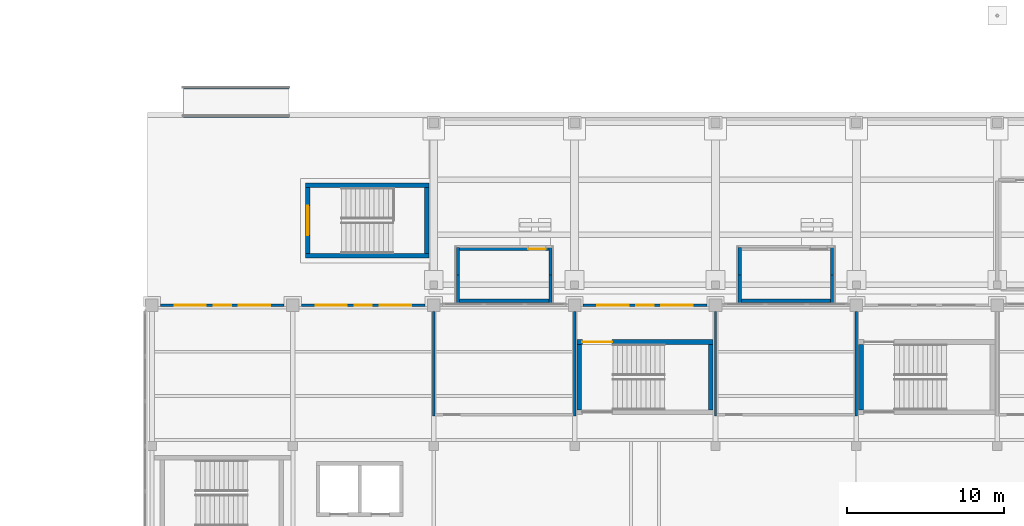
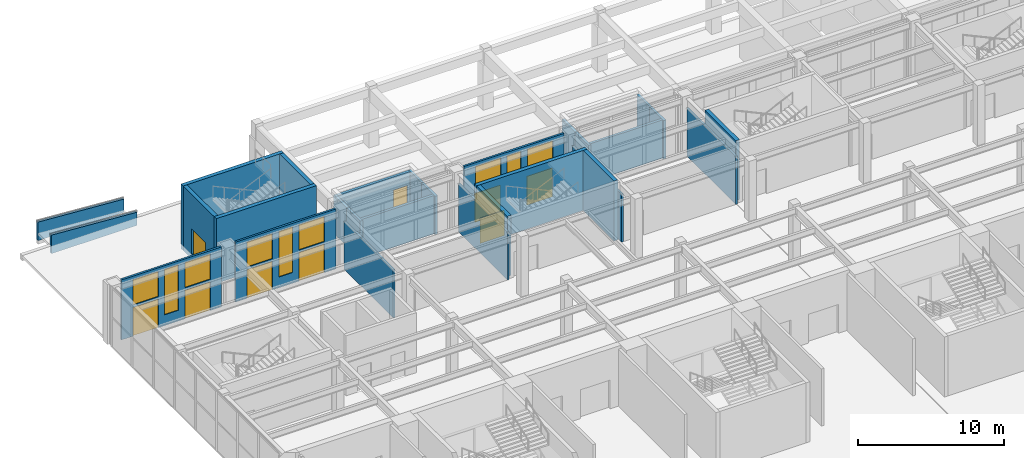
# One storey, part 48 of 77: 28 walls, 9 doors, 9 windows, 18 openings.
"""IFC4 building model written with IfcOpenShell, lengths in metres."""

from ifc_helpers import new_model, si_unit, direction, frame, frame_2d, origin, place, context, subcontext, project, spatial, polyline, rectangle, outline, extrude, material, layer, layer_set, type_object, element, fill, save


model = new_model("IFC4")

# Units and contexts
model_context = context("Model", 3, precision=1e-05, world=origin(), true_north=direction((0.0, 1.0)))
body_context = subcontext(model_context, "Body", "Model", "MODEL_VIEW")
ifc_project = project(units=[si_unit("LENGTHUNIT", "METRE"), si_unit("AREAUNIT", "SQUARE_METRE"), si_unit("VOLUMEUNIT", "CUBIC_METRE"), si_unit("PLANEANGLEUNIT", "RADIAN"), si_unit("MASSUNIT", "GRAM", prefix="KILO")], contexts=[model_context])

# Site, building, storey
site_placement = place(None, origin())
site = spatial("IfcSite", under=ifc_project, at=site_placement, CompositionType="ELEMENT")
building_placement = place(site_placement, origin())
building = spatial("IfcBuilding", under=site, at=building_placement, Name="Aravalli Gate Trade Fair Centre", CompositionType="ELEMENT")
storey_placement = place(building_placement, origin())
storey = spatial("IfcBuildingStorey", under=building, at=storey_placement, Name="L00", CompositionType="ELEMENT", Elevation=0.0)

# Walls
ifc_material_1 = material(Name="Concrete M40", Category="concrete")
ifc_layer_1 = layer(ifc_material_1, 0.300048828125)
ifc_layer_set_1 = layer_set([ifc_layer_1], Name="Concrete M40")
wall_type_1 = type_object("IfcWallType", Name="Arcade stair wall 300", PredefinedType="SHEAR", material=ifc_layer_set_1)
for number, where, z_axis, x_axis, name in (
    (1, (15.800048828125, 136.14990234375, -0.39990234375), (0.0, 0.0, 1.0), (1.0, 0.0, 0.0), "Arcade stair wall S L00"),
    (2, (15.800048828125, 140.64990234375, -0.39990234375), (0.0, 0.0, 1.0), (1.0, 0.0, 0.0), "Arcade stair wall N L00"),
):
    element("IfcWall", number, at=place(storey_placement, frame(where, z_axis=z_axis, x_axis=x_axis)), inside=storey, type_object=wall_type_1, Name=name, PredefinedType="SHEAR", context=body_context, shape_type="SweptSolid", body=[
        extrude(rectangle(XDim=7.89990234375, YDim=0.300048828125, at=frame_2d((3.949951171875, 0.0))), origin(), (0.0, 0.0, 1.0), 5.39990234375),
    ])

# Wall, opening, door
wall_1_placement = place(storey_placement, frame((15.949951171875, 136.300048828125, -0.39990234375), z_axis=(0.0, 0.0, 1.0), x_axis=(0.0, 1.0, 0.0)))
wall_1 = element("IfcWall", 3, at=wall_1_placement, inside=storey, type_object=wall_type_1, Name="Arcade stair wall W L00", PredefinedType="SHEAR", context=body_context, shape_type="SweptSolid", body=[
    extrude(rectangle(XDim=4.199951171875, YDim=0.300048828125, at=frame_2d((2.10009765625, 0.0))), origin(), (0.0, 0.0, 1.0), 5.39990234375),
])
opening_1_placement = place(wall_1_placement, frame((1.14990234375, 0.0, 0.39990234375)))
opening_1 = element("IfcOpeningElement", 4, at=opening_1_placement, cuts=wall_1, Name="Opening P-L00-05", PredefinedType="OPENING", context=body_context, shape_type="SweptSolid", body=[
    extrude(rectangle(XDim=1.89990234375, YDim=2.10009765625, at=frame_2d((0.949951171875, 1.050048828125))), frame((0.0, 0.159912109375, 0.0), z_axis=(0.0, -1.0, 0.0), x_axis=(1.0, 0.0, 0.0)), (0.0, 0.0, 1.0), 0.320068359375),
])
ifc_material_2 = material(Name="Steel, fire rated", Category="steel")
door_type_1 = type_object("IfcDoorType", Name="Concourse stair door 1900 x 2100", OperationType="DOUBLE_DOOR_SINGLE_SWING", PredefinedType="NOTDEFINED", material=ifc_material_2)
door_1_placement = place(opening_1_placement, frame((1.89990234375, 0.0, 0.0), z_axis=(0.0, 0.0, 1.0), x_axis=(-1.0, 0.0, 0.0)))
door_1 = element("IfcDoor", 5, at=door_1_placement, inside=storey, type_object=door_type_1, Name="Arcade stair door W", OperationType="DOUBLE_DOOR_SINGLE_SWING", OverallHeight=2.10009765625, OverallWidth=1.89990234375, PredefinedType="NOTDEFINED", context=body_context, shape_type="SweptSolid", body=[
    extrude(rectangle(XDim=1.89990234375, YDim=2.10009765625, at=frame_2d((0.949951171875, 1.050048828125))), frame((0.0, 0.02490234375, 0.0), z_axis=(0.0, -1.0, 0.0), x_axis=(1.0, 0.0, 0.0)), (0.0, 0.0, 1.0), 0.050048828125),
])
fill(opening_1, door_1)

# Walls
wall_2_placement = place(storey_placement, frame((23.550048828125, 136.300048828125, -0.39990234375), z_axis=(0.0, 0.0, 1.0), x_axis=(0.0, 1.0, 0.0)))
element("IfcWall", 6, at=wall_2_placement, inside=storey, type_object=wall_type_1, Name="Arcade stair wall E L00", PredefinedType="SHEAR", context=body_context, shape_type="SweptSolid", body=[
    extrude(rectangle(XDim=4.199951171875, YDim=0.300048828125, at=frame_2d((2.10009765625, 0.0))), origin(), (0.0, 0.0, 1.0), 5.39990234375),
])
ifc_material_3 = material(Name="Concrete M35", Category="concrete")
ifc_layer_2 = layer(ifc_material_3, 0.199951171875)
ifc_layer_set_2 = layer_set([ifc_layer_2], Name="Concrete M35")
wall_type_2 = type_object("IfcWallType", Name="Basement stair enclosure wall 200", PredefinedType="SOLIDWALL", material=ifc_layer_set_2)
wall_3_placement = place(storey_placement, frame((31.449951171875, 133.05908203125, 0.0), z_axis=(0.0, 0.0, 1.0), x_axis=(0.0, 1.0, 0.0)))
element("IfcWall", 7, at=wall_3_placement, inside=storey, type_object=wall_type_2, Name="Basement stair N1 enclosure wall L1 L00", PredefinedType="SOLIDWALL", context=body_context, shape_type="SweptSolid", body=[
    extrude(rectangle(XDim=1.870849609375, YDim=0.199951171875, at=frame_2d((0.935546875, 0.0))), origin(), (0.0, 0.0, 1.0), 3.199951171875),
])
wall_4_placement = place(storey_placement, frame((31.449951171875, 134.929931640625, 0.0), z_axis=(0.0, 0.0, 1.0), x_axis=(0.0, 1.0, 0.0)))
element("IfcWall", 8, at=wall_4_placement, inside=storey, type_object=wall_type_2, Name="Basement stair N1 enclosure wall L2 L00", PredefinedType="SOLIDWALL", context=body_context, shape_type="SweptSolid", body=[
    extrude(rectangle(XDim=1.75, YDim=0.199951171875, at=frame_2d((0.875, 0.0))), origin(), (0.0, 0.0, 1.0), 3.199951171875),
])
wall_5_placement = place(storey_placement, frame((25.550048828125, 133.05908203125, 0.0), z_axis=(0.0, 0.0, 1.0), x_axis=(0.0, 1.0, 0.0)))
element("IfcWall", 9, at=wall_5_placement, inside=storey, type_object=wall_type_2, Name="Basement stair N1 enclosure wall R1 L00", PredefinedType="SOLIDWALL", context=body_context, shape_type="SweptSolid", body=[
    extrude(rectangle(XDim=1.870849609375, YDim=0.199951171875, at=frame_2d((0.935546875, 0.0))), origin(), (0.0, 0.0, 1.0), 3.199951171875),
])
wall_6_placement = place(storey_placement, frame((25.550048828125, 134.929931640625, 0.0), z_axis=(0.0, 0.0, 1.0), x_axis=(0.0, 1.0, 0.0)))
element("IfcWall", 10, at=wall_6_placement, inside=storey, type_object=wall_type_2, Name="Basement stair N1 enclosure wall R2 L00", PredefinedType="SOLIDWALL", context=body_context, shape_type="SweptSolid", body=[
    extrude(rectangle(XDim=1.75, YDim=0.199951171875, at=frame_2d((0.875, 0.0))), origin(), (0.0, 0.0, 1.0), 3.199951171875),
])

# Wall, opening, door
wall_7_placement = place(storey_placement, frame((31.35009765625, 136.580078125, 0.0), z_axis=(0.0, 0.0, 1.0), x_axis=(-1.0, 0.0, 0.0)))
wall_7 = element("IfcWall", 11, at=wall_7_placement, inside=storey, type_object=wall_type_2, Name="Basement stair N1 enclosure wall O L00", PredefinedType="SOLIDWALL", context=body_context, shape_type="SweptSolid", body=[
    extrude(rectangle(XDim=5.7001953125, YDim=0.199951171875, at=frame_2d((2.85009765625, 0.0))), origin(), (0.0, 0.0, 1.0), 3.199951171875),
])
opening_2_placement = place(wall_7_placement, frame((0.199951171875, 0.0, 0.0)))
opening_2 = element("IfcOpeningElement", 12, at=opening_2_placement, cuts=wall_7, Name="Opening B-L00-03", PredefinedType="OPENING", context=body_context, shape_type="SweptSolid", body=[
    extrude(rectangle(XDim=1.10009765625, YDim=2.10009765625, at=frame_2d((0.550048828125, 1.050048828125))), frame((0.0, 0.10986328125, 0.0), z_axis=(0.0, -1.0, 0.0), x_axis=(1.0, 0.0, 0.0)), (0.0, 0.0, 1.0), 0.219970703125),
])
ifc_material_4 = material(Name="Steel", Category="steel")
door_type_2 = type_object("IfcDoorType", Name="Basement stair door 1100x2100", OperationType="SINGLE_SWING_LEFT", PredefinedType="DOOR", material=ifc_material_4)
door_2_placement = place(opening_2_placement, frame((1.10009765625, 0.0, 0.0), z_axis=(0.0, 0.0, 1.0), x_axis=(-1.0, 0.0, 0.0)))
door_2 = element("IfcDoor", 13, at=door_2_placement, inside=storey, type_object=door_type_2, Name="Basement stair N1 discharge door", OperationType="SINGLE_SWING_RIGHT", OverallHeight=2.10009765625, OverallWidth=1.10009765625, PredefinedType="DOOR", context=body_context, shape_type="SweptSolid", body=[
    extrude(rectangle(XDim=1.10009765625, YDim=2.10009765625, at=frame_2d((0.550048828125, 1.050048828125))), frame((0.0, 0.02490234375, 0.0), z_axis=(0.0, -1.0, 0.0), x_axis=(1.0, 0.0, 0.0)), (0.0, 0.0, 1.0), 0.050048828125),
])
fill(opening_2, door_2)

# Walls
wall_8_placement = place(storey_placement, frame((31.35009765625, 133.280029296875, 0.0), z_axis=(0.0, 0.0, 1.0), x_axis=(-1.0, 0.0, 0.0)))
element("IfcWall", 14, at=wall_8_placement, inside=storey, type_object=wall_type_2, Name="Basement stair N1 enclosure wall I L00", PredefinedType="SOLIDWALL", context=body_context, shape_type="SweptSolid", body=[
    extrude(rectangle(XDim=5.7001953125, YDim=0.199951171875, at=frame_2d((2.85009765625, 0.0))), origin(), (0.0, 0.0, 1.0), 3.199951171875),
])
wall_9_placement = place(storey_placement, frame((49.449951171875, 133.05908203125, 0.0), z_axis=(0.0, 0.0, 1.0), x_axis=(0.0, 1.0, 0.0)))
element("IfcWall", 15, at=wall_9_placement, inside=storey, type_object=wall_type_2, Name="Basement stair N2 enclosure wall L1 L00", PredefinedType="SOLIDWALL", context=body_context, shape_type="SweptSolid", body=[
    extrude(rectangle(XDim=1.870849609375, YDim=0.199951171875, at=frame_2d((0.935546875, 0.0))), origin(), (0.0, 0.0, 1.0), 3.199951171875),
])
wall_10_placement = place(storey_placement, frame((49.449951171875, 134.929931640625, 0.0), z_axis=(0.0, 0.0, 1.0), x_axis=(0.0, 1.0, 0.0)))
element("IfcWall", 16, at=wall_10_placement, inside=storey, type_object=wall_type_2, Name="Basement stair N2 enclosure wall L2 L00", PredefinedType="SOLIDWALL", context=body_context, shape_type="SweptSolid", body=[
    extrude(rectangle(XDim=1.75, YDim=0.199951171875, at=frame_2d((0.875, 0.0))), origin(), (0.0, 0.0, 1.0), 3.199951171875),
])
wall_11_placement = place(storey_placement, frame((43.550048828125, 133.05908203125, 0.0), z_axis=(0.0, 0.0, 1.0), x_axis=(0.0, 1.0, 0.0)))
element("IfcWall", 17, at=wall_11_placement, inside=storey, type_object=wall_type_2, Name="Basement stair N2 enclosure wall R1 L00", PredefinedType="SOLIDWALL", context=body_context, shape_type="SweptSolid", body=[
    extrude(rectangle(XDim=1.870849609375, YDim=0.199951171875, at=frame_2d((0.935546875, 0.0))), origin(), (0.0, 0.0, 1.0), 3.199951171875),
])
wall_12_placement = place(storey_placement, frame((43.550048828125, 134.929931640625, 0.0), z_axis=(0.0, 0.0, 1.0), x_axis=(0.0, 1.0, 0.0)))
element("IfcWall", 18, at=wall_12_placement, inside=storey, type_object=wall_type_2, Name="Basement stair N2 enclosure wall R2 L00", PredefinedType="SOLIDWALL", context=body_context, shape_type="SweptSolid", body=[
    extrude(rectangle(XDim=1.75, YDim=0.199951171875, at=frame_2d((0.875, 0.0))), origin(), (0.0, 0.0, 1.0), 3.199951171875),
])
wall_13_placement = place(storey_placement, frame((49.35009765625, 133.280029296875, 0.0), z_axis=(0.0, 0.0, 1.0), x_axis=(-1.0, 0.0, 0.0)))
element("IfcWall", 19, at=wall_13_placement, inside=storey, type_object=wall_type_2, Name="Basement stair N2 enclosure wall I L00", PredefinedType="SOLIDWALL", context=body_context, shape_type="SweptSolid", body=[
    extrude(rectangle(XDim=5.7001953125, YDim=0.199951171875, at=frame_2d((2.85009765625, 0.0))), origin(), (0.0, 0.0, 1.0), 3.199951171875),
])
ifc_material_5 = material(Name="Concrete M30", Category="concrete")
ifc_layer_3 = layer(ifc_material_5, 0.14990234375, Name="Structural wall")
ifc_material_6 = material(Name="Dholpur sandstone cladding", Category="masonry")
ifc_layer_4 = layer(ifc_material_6, 0.050048828125, Name="Stone cladding")
ifc_layer_set_3 = layer_set([ifc_layer_3, ifc_layer_4], Name="Concourse plaza ramp retaining wall 200")
wall_type_3 = type_object("IfcWallType", Name="Concourse plaza ramp retaining wall 200", PredefinedType="STANDARD", material=ifc_layer_set_3)
for number, where, z_axis, x_axis, name in (
    (20, (8.0, 145.10009765625, -0.64990234375), (0.0, 0.0, 1.0), (1.0, 0.0, 0.0), "Plaza ramp 1 retaining wall a"),
    (21, (8.0, 146.89990234375, -0.64990234375), (0.0, 0.0, 1.0), (1.0, 0.0, 0.0), "Plaza ramp 1 retaining wall b"),
):
    element("IfcWall", number, at=place(storey_placement, frame(where, z_axis=z_axis, x_axis=x_axis)), inside=storey, type_object=wall_type_3, Name=name, PredefinedType="STANDARD", context=body_context, shape_type="SweptSolid", body=[
        extrude(outline(polyline([(0.0, 0.0), (6.75, 0.0), (6.75, 1.099853515625), (0.0, 1.5498046875), (0.0, 0.0)])), frame((0.0, 0.10009765625, 0.0), z_axis=(0.0, -1.0, 0.0), x_axis=(1.0, 0.0, 0.0)), (0.0, 0.0, 1.0), 0.199951171875),
    ])

# Wall, openings, windows, doors
ifc_material_7 = material(Name="Aluminium frame with terracotta panels", Category="masonry")
ifc_layer_5 = layer(ifc_material_7, 0.159912109375)
ifc_layer_set_4 = layer_set([ifc_layer_5], Name="Aluminium frame with terracotta panels")
wall_type_4 = type_object("IfcWallType", Name="Entrance screen wall 160", PredefinedType="STANDARD", material=ifc_layer_set_4)
wall_14_placement = place(storey_placement, frame((6.550048828125, 133.0, 0.0), z_axis=(0.0, 0.0, 1.0), x_axis=(1.0, 0.0, 0.0)))
wall_14 = element("IfcWall", 22, at=wall_14_placement, inside=storey, type_object=wall_type_4, Name="Entrance screen wall bay 1", PredefinedType="STANDARD", context=body_context, shape_type="SweptSolid", body=[
    extrude(rectangle(XDim=7.89990234375, YDim=0.159912109375, at=frame_2d((3.949951171875, 0.0))), origin(), (0.0, 0.0, 1.0), 5.0),
])
opening_3_placement = place(wall_14_placement, frame((0.89990234375, 0.0, 0.0)))
opening_3 = element("IfcOpeningElement", 23, at=opening_3_placement, cuts=wall_14, Name="Opening C-L00-01", PredefinedType="OPENING", context=body_context, shape_type="SweptSolid", body=[
    extrude(rectangle(XDim=2.0, YDim=2.39990234375, at=frame_2d((1.0, 1.199951171875))), frame((0.0, 0.08984375, 0.0), z_axis=(0.0, -1.0, 0.0), x_axis=(1.0, 0.0, 0.0)), (0.0, 0.0, 1.0), 0.179931640625),
])
opening_4_placement = place(wall_14_placement, frame((0.89990234375, 0.0, 2.60009765625)))
opening_4 = element("IfcOpeningElement", 24, at=opening_4_placement, cuts=wall_14, Name="Opening WT1", PredefinedType="OPENING", context=body_context, shape_type="SweptSolid", body=[
    extrude(rectangle(XDim=2.0, YDim=2.10009765625, at=frame_2d((1.0, 1.050048828125))), frame((0.0, 0.08984375, 0.0), z_axis=(0.0, -1.0, 0.0), x_axis=(1.0, 0.0, 0.0)), (0.0, 0.0, 1.0), 0.179931640625),
])
opening_5_placement = place(wall_14_placement, frame((5.0, 0.0, 0.0)))
opening_5 = element("IfcOpeningElement", 25, at=opening_5_placement, cuts=wall_14, Name="Opening C-L00-02", PredefinedType="OPENING", context=body_context, shape_type="SweptSolid", body=[
    extrude(rectangle(XDim=2.0, YDim=2.39990234375, at=frame_2d((1.0, 1.199951171875))), frame((0.0, 0.08984375, 0.0), z_axis=(0.0, -1.0, 0.0), x_axis=(1.0, 0.0, 0.0)), (0.0, 0.0, 1.0), 0.179931640625),
])
opening_6_placement = place(wall_14_placement, frame((5.0, 0.0, 2.60009765625)))
opening_6 = element("IfcOpeningElement", 26, at=opening_6_placement, cuts=wall_14, Name="Opening WT1", PredefinedType="OPENING", context=body_context, shape_type="SweptSolid", body=[
    extrude(rectangle(XDim=2.0, YDim=2.10009765625, at=frame_2d((1.0, 1.050048828125))), frame((0.0, 0.08984375, 0.0), z_axis=(0.0, -1.0, 0.0), x_axis=(1.0, 0.0, 0.0)), (0.0, 0.0, 1.0), 0.179931640625),
])
opening_7_placement = place(wall_14_placement, frame((3.39990234375, 0.0, 0.89990234375)))
opening_7 = element("IfcOpeningElement", 27, at=opening_7_placement, cuts=wall_14, Name="Opening WT4", PredefinedType="OPENING", context=body_context, shape_type="SweptSolid", body=[
    extrude(rectangle(XDim=1.10009765625, YDim=3.800048828125, at=frame_2d((0.550048828125, 1.89990234375))), frame((0.0, 0.08984375, 0.0), z_axis=(0.0, -1.0, 0.0), x_axis=(1.0, 0.0, 0.0)), (0.0, 0.0, 1.0), 0.179931640625),
])
ifc_material_8 = material(Name="Aluminium and glass", Category="aluminium")
window_type_1 = type_object("IfcWindowType", Name="Entrance side light 1100 x 3800", PartitioningType="SINGLE_PANEL", PredefinedType="WINDOW", material=ifc_material_8)
window_1_placement = place(opening_7_placement, origin())
window_1 = element("IfcWindow", 28, at=window_1_placement, inside=storey, type_object=window_type_1, Name="Entrance side light bay 1", OverallHeight=3.800048828125, OverallWidth=1.10009765625, PartitioningType="SINGLE_PANEL", PredefinedType="WINDOW", context=body_context, shape_type="SweptSolid", body=[
    extrude(rectangle(XDim=1.10009765625, YDim=3.800048828125, at=frame_2d((0.550048828125, 1.89990234375))), frame((0.0, 0.030029296875, 0.0), z_axis=(0.0, -1.0, 0.0), x_axis=(1.0, 0.0, 0.0)), (0.0, 0.0, 1.0), 0.06005859375),
])
fill(opening_7, window_1)
window_type_2 = type_object("IfcWindowType", Name="Entrance transom light 2000 x 2100", PartitioningType="SINGLE_PANEL", PredefinedType="WINDOW", material=ifc_material_8)
window_2_placement = place(opening_4_placement, origin())
window_2 = element("IfcWindow", 29, at=window_2_placement, inside=storey, type_object=window_type_2, Name="Entrance transom light bay 1.1", OverallHeight=2.10009765625, OverallWidth=2.0, PartitioningType="SINGLE_PANEL", PredefinedType="WINDOW", context=body_context, shape_type="SweptSolid", body=[
    extrude(rectangle(XDim=2.0, YDim=2.10009765625, at=frame_2d((1.0, 1.050048828125))), frame((0.0, 0.030029296875, 0.0), z_axis=(0.0, -1.0, 0.0), x_axis=(1.0, 0.0, 0.0)), (0.0, 0.0, 1.0), 0.06005859375),
])
fill(opening_4, window_2)
window_3_placement = place(opening_6_placement, origin())
window_3 = element("IfcWindow", 30, at=window_3_placement, inside=storey, type_object=window_type_2, Name="Entrance transom light bay 1.2", OverallHeight=2.10009765625, OverallWidth=2.0, PartitioningType="SINGLE_PANEL", PredefinedType="WINDOW", context=body_context, shape_type="SweptSolid", body=[
    extrude(rectangle(XDim=2.0, YDim=2.10009765625, at=frame_2d((1.0, 1.050048828125))), frame((0.0, 0.030029296875, 0.0), z_axis=(0.0, -1.0, 0.0), x_axis=(1.0, 0.0, 0.0)), (0.0, 0.0, 1.0), 0.06005859375),
])
fill(opening_6, window_3)
door_type_3 = type_object("IfcDoorType", Name="Exit door, double leaf 2000 x 2400", OperationType="DOUBLE_DOOR_SINGLE_SWING", PredefinedType="NOTDEFINED", material=ifc_material_8)
door_3_placement = place(opening_3_placement, origin())
door_3 = element("IfcDoor", 31, at=door_3_placement, inside=storey, type_object=door_type_3, Name="Entrance door bay 1.1", OperationType="DOUBLE_DOOR_SINGLE_SWING", OverallHeight=2.39990234375, OverallWidth=2.0, PredefinedType="NOTDEFINED", context=body_context, shape_type="SweptSolid", body=[
    extrude(rectangle(XDim=2.0, YDim=2.39990234375, at=frame_2d((1.0, 1.199951171875))), frame((0.0, 0.02490234375, 0.0), z_axis=(0.0, -1.0, 0.0), x_axis=(1.0, 0.0, 0.0)), (0.0, 0.0, 1.0), 0.050048828125),
])
fill(opening_3, door_3)
door_4_placement = place(opening_5_placement, origin())
door_4 = element("IfcDoor", 32, at=door_4_placement, inside=storey, type_object=door_type_3, Name="Entrance door bay 1.2", OperationType="DOUBLE_DOOR_SINGLE_SWING", OverallHeight=2.39990234375, OverallWidth=2.0, PredefinedType="NOTDEFINED", context=body_context, shape_type="SweptSolid", body=[
    extrude(rectangle(XDim=2.0, YDim=2.39990234375, at=frame_2d((1.0, 1.199951171875))), frame((0.0, 0.02490234375, 0.0), z_axis=(0.0, -1.0, 0.0), x_axis=(1.0, 0.0, 0.0)), (0.0, 0.0, 1.0), 0.050048828125),
])
fill(opening_5, door_4)

wall_15_placement = place(storey_placement, frame((15.550048828125, 133.0, 0.0), z_axis=(0.0, 0.0, 1.0), x_axis=(1.0, 0.0, 0.0)))
wall_15 = element("IfcWall", 33, at=wall_15_placement, inside=storey, type_object=wall_type_4, Name="Entrance screen wall bay 2", PredefinedType="STANDARD", context=body_context, shape_type="SweptSolid", body=[
    extrude(rectangle(XDim=7.89990234375, YDim=0.159912109375, at=frame_2d((3.949951171875, 0.0))), origin(), (0.0, 0.0, 1.0), 5.0),
])
opening_8_placement = place(wall_15_placement, frame((0.89990234375, 0.0, 0.0)))
opening_8 = element("IfcOpeningElement", 34, at=opening_8_placement, cuts=wall_15, Name="Opening C-L00-03", PredefinedType="OPENING", context=body_context, shape_type="SweptSolid", body=[
    extrude(rectangle(XDim=2.0, YDim=2.39990234375, at=frame_2d((1.0, 1.199951171875))), frame((0.0, 0.08984375, 0.0), z_axis=(0.0, -1.0, 0.0), x_axis=(1.0, 0.0, 0.0)), (0.0, 0.0, 1.0), 0.179931640625),
])
opening_9_placement = place(wall_15_placement, frame((0.89990234375, 0.0, 2.60009765625)))
opening_9 = element("IfcOpeningElement", 35, at=opening_9_placement, cuts=wall_15, Name="Opening WT1", PredefinedType="OPENING", context=body_context, shape_type="SweptSolid", body=[
    extrude(rectangle(XDim=2.0, YDim=2.10009765625, at=frame_2d((1.0, 1.050048828125))), frame((0.0, 0.08984375, 0.0), z_axis=(0.0, -1.0, 0.0), x_axis=(1.0, 0.0, 0.0)), (0.0, 0.0, 1.0), 0.179931640625),
])
opening_10_placement = place(wall_15_placement, frame((5.0, 0.0, 0.0)))
opening_10 = element("IfcOpeningElement", 36, at=opening_10_placement, cuts=wall_15, Name="Opening C-L00-04", PredefinedType="OPENING", context=body_context, shape_type="SweptSolid", body=[
    extrude(rectangle(XDim=2.0, YDim=2.39990234375, at=frame_2d((1.0, 1.199951171875))), frame((0.0, 0.08984375, 0.0), z_axis=(0.0, -1.0, 0.0), x_axis=(1.0, 0.0, 0.0)), (0.0, 0.0, 1.0), 0.179931640625),
])
opening_11_placement = place(wall_15_placement, frame((5.0, 0.0, 2.60009765625)))
opening_11 = element("IfcOpeningElement", 37, at=opening_11_placement, cuts=wall_15, Name="Opening WT1", PredefinedType="OPENING", context=body_context, shape_type="SweptSolid", body=[
    extrude(rectangle(XDim=2.0, YDim=2.10009765625, at=frame_2d((1.0, 1.050048828125))), frame((0.0, 0.08984375, 0.0), z_axis=(0.0, -1.0, 0.0), x_axis=(1.0, 0.0, 0.0)), (0.0, 0.0, 1.0), 0.179931640625),
])
opening_12_placement = place(wall_15_placement, frame((3.39990234375, 0.0, 0.89990234375)))
opening_12 = element("IfcOpeningElement", 38, at=opening_12_placement, cuts=wall_15, Name="Opening WT4", PredefinedType="OPENING", context=body_context, shape_type="SweptSolid", body=[
    extrude(rectangle(XDim=1.10009765625, YDim=3.800048828125, at=frame_2d((0.550048828125, 1.89990234375))), frame((0.0, 0.08984375, 0.0), z_axis=(0.0, -1.0, 0.0), x_axis=(1.0, 0.0, 0.0)), (0.0, 0.0, 1.0), 0.179931640625),
])
window_4_placement = place(opening_12_placement, origin())
window_4 = element("IfcWindow", 39, at=window_4_placement, inside=storey, type_object=window_type_1, Name="Entrance side light bay 2", OverallHeight=3.800048828125, OverallWidth=1.10009765625, PartitioningType="SINGLE_PANEL", PredefinedType="WINDOW", context=body_context, shape_type="SweptSolid", body=[
    extrude(rectangle(XDim=1.10009765625, YDim=3.800048828125, at=frame_2d((0.550048828125, 1.89990234375))), frame((0.0, 0.030029296875, 0.0), z_axis=(0.0, -1.0, 0.0), x_axis=(1.0, 0.0, 0.0)), (0.0, 0.0, 1.0), 0.06005859375),
])
fill(opening_12, window_4)
window_5_placement = place(opening_9_placement, origin())
window_5 = element("IfcWindow", 40, at=window_5_placement, inside=storey, type_object=window_type_2, Name="Entrance transom light bay 2.1", OverallHeight=2.10009765625, OverallWidth=2.0, PartitioningType="SINGLE_PANEL", PredefinedType="WINDOW", context=body_context, shape_type="SweptSolid", body=[
    extrude(rectangle(XDim=2.0, YDim=2.10009765625, at=frame_2d((1.0, 1.050048828125))), frame((0.0, 0.030029296875, 0.0), z_axis=(0.0, -1.0, 0.0), x_axis=(1.0, 0.0, 0.0)), (0.0, 0.0, 1.0), 0.06005859375),
])
fill(opening_9, window_5)
window_6_placement = place(opening_11_placement, origin())
window_6 = element("IfcWindow", 41, at=window_6_placement, inside=storey, type_object=window_type_2, Name="Entrance transom light bay 2.2", OverallHeight=2.10009765625, OverallWidth=2.0, PartitioningType="SINGLE_PANEL", PredefinedType="WINDOW", context=body_context, shape_type="SweptSolid", body=[
    extrude(rectangle(XDim=2.0, YDim=2.10009765625, at=frame_2d((1.0, 1.050048828125))), frame((0.0, 0.030029296875, 0.0), z_axis=(0.0, -1.0, 0.0), x_axis=(1.0, 0.0, 0.0)), (0.0, 0.0, 1.0), 0.06005859375),
])
fill(opening_11, window_6)
door_5_placement = place(opening_8_placement, origin())
door_5 = element("IfcDoor", 42, at=door_5_placement, inside=storey, type_object=door_type_3, Name="Entrance door bay 2.1", OperationType="DOUBLE_DOOR_SINGLE_SWING", OverallHeight=2.39990234375, OverallWidth=2.0, PredefinedType="NOTDEFINED", context=body_context, shape_type="SweptSolid", body=[
    extrude(rectangle(XDim=2.0, YDim=2.39990234375, at=frame_2d((1.0, 1.199951171875))), frame((0.0, 0.02490234375, 0.0), z_axis=(0.0, -1.0, 0.0), x_axis=(1.0, 0.0, 0.0)), (0.0, 0.0, 1.0), 0.050048828125),
])
fill(opening_8, door_5)
door_6_placement = place(opening_10_placement, origin())
door_6 = element("IfcDoor", 43, at=door_6_placement, inside=storey, type_object=door_type_3, Name="Entrance door bay 2.2", OperationType="DOUBLE_DOOR_SINGLE_SWING", OverallHeight=2.39990234375, OverallWidth=2.0, PredefinedType="NOTDEFINED", context=body_context, shape_type="SweptSolid", body=[
    extrude(rectangle(XDim=2.0, YDim=2.39990234375, at=frame_2d((1.0, 1.199951171875))), frame((0.0, 0.02490234375, 0.0), z_axis=(0.0, -1.0, 0.0), x_axis=(1.0, 0.0, 0.0)), (0.0, 0.0, 1.0), 0.050048828125),
])
fill(opening_10, door_6)

wall_16_placement = place(storey_placement, frame((33.550048828125, 133.0, 0.0), z_axis=(0.0, 0.0, 1.0), x_axis=(1.0, 0.0, 0.0)))
wall_16 = element("IfcWall", 44, at=wall_16_placement, inside=storey, type_object=wall_type_4, Name="Entrance screen wall bay 4", PredefinedType="STANDARD", context=body_context, shape_type="SweptSolid", body=[
    extrude(rectangle(XDim=7.89990234375, YDim=0.159912109375, at=frame_2d((3.949951171875, 0.0))), origin(), (0.0, 0.0, 1.0), 5.0),
])
opening_13_placement = place(wall_16_placement, frame((0.89990234375, 0.0, 0.0)))
opening_13 = element("IfcOpeningElement", 45, at=opening_13_placement, cuts=wall_16, Name="Opening C-L00-05", PredefinedType="OPENING", context=body_context, shape_type="SweptSolid", body=[
    extrude(rectangle(XDim=2.0, YDim=2.39990234375, at=frame_2d((1.0, 1.199951171875))), frame((0.0, 0.08984375, 0.0), z_axis=(0.0, -1.0, 0.0), x_axis=(1.0, 0.0, 0.0)), (0.0, 0.0, 1.0), 0.179931640625),
])
opening_14_placement = place(wall_16_placement, frame((0.89990234375, 0.0, 2.60009765625)))
opening_14 = element("IfcOpeningElement", 46, at=opening_14_placement, cuts=wall_16, Name="Opening WT1", PredefinedType="OPENING", context=body_context, shape_type="SweptSolid", body=[
    extrude(rectangle(XDim=2.0, YDim=2.10009765625, at=frame_2d((1.0, 1.050048828125))), frame((0.0, 0.08984375, 0.0), z_axis=(0.0, -1.0, 0.0), x_axis=(1.0, 0.0, 0.0)), (0.0, 0.0, 1.0), 0.179931640625),
])
opening_15_placement = place(wall_16_placement, frame((5.0, 0.0, 0.0)))
opening_15 = element("IfcOpeningElement", 47, at=opening_15_placement, cuts=wall_16, Name="Opening C-L00-06", PredefinedType="OPENING", context=body_context, shape_type="SweptSolid", body=[
    extrude(rectangle(XDim=2.0, YDim=2.39990234375, at=frame_2d((1.0, 1.199951171875))), frame((0.0, 0.08984375, 0.0), z_axis=(0.0, -1.0, 0.0), x_axis=(1.0, 0.0, 0.0)), (0.0, 0.0, 1.0), 0.179931640625),
])
opening_16_placement = place(wall_16_placement, frame((5.0, 0.0, 2.60009765625)))
opening_16 = element("IfcOpeningElement", 48, at=opening_16_placement, cuts=wall_16, Name="Opening WT1", PredefinedType="OPENING", context=body_context, shape_type="SweptSolid", body=[
    extrude(rectangle(XDim=2.0, YDim=2.10009765625, at=frame_2d((1.0, 1.050048828125))), frame((0.0, 0.08984375, 0.0), z_axis=(0.0, -1.0, 0.0), x_axis=(1.0, 0.0, 0.0)), (0.0, 0.0, 1.0), 0.179931640625),
])
opening_17_placement = place(wall_16_placement, frame((3.39990234375, 0.0, 0.89990234375)))
opening_17 = element("IfcOpeningElement", 49, at=opening_17_placement, cuts=wall_16, Name="Opening WT4", PredefinedType="OPENING", context=body_context, shape_type="SweptSolid", body=[
    extrude(rectangle(XDim=1.10009765625, YDim=3.800048828125, at=frame_2d((0.550048828125, 1.89990234375))), frame((0.0, 0.08984375, 0.0), z_axis=(0.0, -1.0, 0.0), x_axis=(1.0, 0.0, 0.0)), (0.0, 0.0, 1.0), 0.179931640625),
])
window_7_placement = place(opening_17_placement, origin())
window_7 = element("IfcWindow", 50, at=window_7_placement, inside=storey, type_object=window_type_1, Name="Entrance side light bay 4", OverallHeight=3.800048828125, OverallWidth=1.10009765625, PartitioningType="SINGLE_PANEL", PredefinedType="WINDOW", context=body_context, shape_type="SweptSolid", body=[
    extrude(rectangle(XDim=1.10009765625, YDim=3.800048828125, at=frame_2d((0.550048828125, 1.89990234375))), frame((0.0, 0.030029296875, 0.0), z_axis=(0.0, -1.0, 0.0), x_axis=(1.0, 0.0, 0.0)), (0.0, 0.0, 1.0), 0.06005859375),
])
fill(opening_17, window_7)
window_8_placement = place(opening_14_placement, origin())
window_8 = element("IfcWindow", 51, at=window_8_placement, inside=storey, type_object=window_type_2, Name="Entrance transom light bay 4.1", OverallHeight=2.10009765625, OverallWidth=2.0, PartitioningType="SINGLE_PANEL", PredefinedType="WINDOW", context=body_context, shape_type="SweptSolid", body=[
    extrude(rectangle(XDim=2.0, YDim=2.10009765625, at=frame_2d((1.0, 1.050048828125))), frame((0.0, 0.030029296875, 0.0), z_axis=(0.0, -1.0, 0.0), x_axis=(1.0, 0.0, 0.0)), (0.0, 0.0, 1.0), 0.06005859375),
])
fill(opening_14, window_8)
window_9_placement = place(opening_16_placement, origin())
window_9 = element("IfcWindow", 52, at=window_9_placement, inside=storey, type_object=window_type_2, Name="Entrance transom light bay 4.2", OverallHeight=2.10009765625, OverallWidth=2.0, PartitioningType="SINGLE_PANEL", PredefinedType="WINDOW", context=body_context, shape_type="SweptSolid", body=[
    extrude(rectangle(XDim=2.0, YDim=2.10009765625, at=frame_2d((1.0, 1.050048828125))), frame((0.0, 0.030029296875, 0.0), z_axis=(0.0, -1.0, 0.0), x_axis=(1.0, 0.0, 0.0)), (0.0, 0.0, 1.0), 0.06005859375),
])
fill(opening_16, window_9)
door_7_placement = place(opening_13_placement, origin())
door_7 = element("IfcDoor", 53, at=door_7_placement, inside=storey, type_object=door_type_3, Name="Entrance door bay 4.1", OperationType="DOUBLE_DOOR_SINGLE_SWING", OverallHeight=2.39990234375, OverallWidth=2.0, PredefinedType="NOTDEFINED", context=body_context, shape_type="SweptSolid", body=[
    extrude(rectangle(XDim=2.0, YDim=2.39990234375, at=frame_2d((1.0, 1.199951171875))), frame((0.0, 0.02490234375, 0.0), z_axis=(0.0, -1.0, 0.0), x_axis=(1.0, 0.0, 0.0)), (0.0, 0.0, 1.0), 0.050048828125),
])
fill(opening_13, door_7)
door_8_placement = place(opening_15_placement, origin())
door_8 = element("IfcDoor", 54, at=door_8_placement, inside=storey, type_object=door_type_3, Name="Entrance door bay 4.2", OperationType="DOUBLE_DOOR_SINGLE_SWING", OverallHeight=2.39990234375, OverallWidth=2.0, PredefinedType="NOTDEFINED", context=body_context, shape_type="SweptSolid", body=[
    extrude(rectangle(XDim=2.0, YDim=2.39990234375, at=frame_2d((1.0, 1.199951171875))), frame((0.0, 0.02490234375, 0.0), z_axis=(0.0, -1.0, 0.0), x_axis=(1.0, 0.0, 0.0)), (0.0, 0.0, 1.0), 0.050048828125),
])
fill(opening_15, door_8)

# Walls
ifc_material_9 = material(Name="Gypsum board")
ifc_layer_6 = layer(ifc_material_9, 0.02490234375, Name="Gypsum board lining")
ifc_material_10 = material(Name="Galvanised stud framing")
ifc_layer_7 = layer(ifc_material_10, 0.10009765625, Name="Stud framing")
ifc_layer_8 = layer(ifc_material_9, 0.02490234375, Name="Gypsum board lining")
ifc_layer_set_5 = layer_set([ifc_layer_6, ifc_layer_7, ifc_layer_8], Name="Partition wall 150")
wall_type_5 = type_object("IfcWallType", Name="Partition wall 150", PredefinedType="PARTITIONING", material=ifc_layer_set_5)
for number, where, z_axis, x_axis, name in (
    (55, (24.0, 125.925048828125, 0.0), (0.0, 0.0, 1.0), (0.0, 1.0, 0.0), "Partition 2400 L00"),
    (56, (33.0, 125.925048828125, 0.0), (0.0, 0.0, 1.0), (0.0, 1.0, 0.0), "Partition 3300 L00"),
    (57, (42.0, 125.925048828125, 0.0), (0.0, 0.0, 1.0), (0.0, 1.0, 0.0), "Partition 4200 L00"),
    (58, (51.0, 125.925048828125, 0.0), (0.0, 0.0, 1.0), (0.0, 1.0, 0.0), "Partition 5100 L00"),
):
    element("IfcWall", number, at=place(storey_placement, frame(where, z_axis=z_axis, x_axis=x_axis)), inside=storey, type_object=wall_type_5, Name=name, PredefinedType="PARTITIONING", context=body_context, shape_type="SweptSolid", body=[
        extrude(rectangle(XDim=6.675048828125, YDim=0.14990234375, at=frame_2d((3.33740234375, 0.0))), origin(), (0.0, 0.0, 1.0), 4.0),
    ])

# Wall, opening, door
ifc_layer_9 = layer(ifc_material_1, 0.300048828125)
ifc_layer_set_6 = layer_set([ifc_layer_9], Name="Concrete M40")
wall_type_6 = type_object("IfcWallType", Name="RC core wall 300", PredefinedType="SHEAR", material=ifc_layer_set_6)
wall_17_placement = place(storey_placement, frame((33.14990234375, 130.64990234375, 0.0), z_axis=(0.0, 0.0, 1.0), x_axis=(1.0, 0.0, 0.0)))
wall_17 = element("IfcWall", 59, at=wall_17_placement, inside=storey, type_object=wall_type_6, Name="Core wall XAN L00", PredefinedType="SHEAR", context=body_context, shape_type="SweptSolid", body=[
    extrude(rectangle(XDim=8.7001953125, YDim=0.300048828125, at=frame_2d((4.35009765625, 0.0))), origin(), (0.0, 0.0, 1.0), 5.0),
])
opening_18_placement = place(wall_17_placement, frame((0.35009765625, 0.0, 0.0)))
opening_18 = element("IfcOpeningElement", 60, at=opening_18_placement, cuts=wall_17, Name="Opening C-L00-41", PredefinedType="OPENING", context=body_context, shape_type="SweptSolid", body=[
    extrude(rectangle(XDim=1.89990234375, YDim=2.10009765625, at=frame_2d((0.949951171875, 1.050048828125))), frame((0.0, 0.159912109375, 0.0), z_axis=(0.0, -1.0, 0.0), x_axis=(1.0, 0.0, 0.0)), (0.0, 0.0, 1.0), 0.320068359375),
])
door_9_placement = place(opening_18_placement, origin())
door_9 = element("IfcDoor", 61, at=door_9_placement, inside=storey, type_object=door_type_1, Name="Stair discharge door XA L00", OperationType="DOUBLE_DOOR_SINGLE_SWING", OverallHeight=2.10009765625, OverallWidth=1.89990234375, PredefinedType="NOTDEFINED", context=body_context, shape_type="SweptSolid", body=[
    extrude(rectangle(XDim=1.89990234375, YDim=2.10009765625, at=frame_2d((0.949951171875, 1.050048828125))), frame((0.0, 0.02490234375, 0.0), z_axis=(0.0, -1.0, 0.0), x_axis=(1.0, 0.0, 0.0)), (0.0, 0.0, 1.0), 0.050048828125),
])
fill(opening_18, door_9)

# Walls
for number, where, z_axis, x_axis, name in (
    (62, (33.300048828125, 126.300048828125, 0.0), (0.0, 0.0, 1.0), (0.0, 1.0, 0.0), "Core wall XAW L00"),
    (63, (41.699951171875, 126.300048828125, 0.0), (0.0, 0.0, 1.0), (0.0, 1.0, 0.0), "Core wall XAE L00"),
    (64, (51.300048828125, 126.300048828125, 0.0), (0.0, 0.0, 1.0), (0.0, 1.0, 0.0), "Core wall XBW L00"),
):
    element("IfcWall", number, at=place(storey_placement, frame(where, z_axis=z_axis, x_axis=x_axis)), inside=storey, type_object=wall_type_6, Name=name, PredefinedType="SHEAR", context=body_context, shape_type="SweptSolid", body=[
        extrude(rectangle(XDim=4.199951171875, YDim=0.300048828125, at=frame_2d((2.10009765625, 0.0))), origin(), (0.0, 0.0, 1.0), 5.0),
    ])

save(model, "model.ifc")
